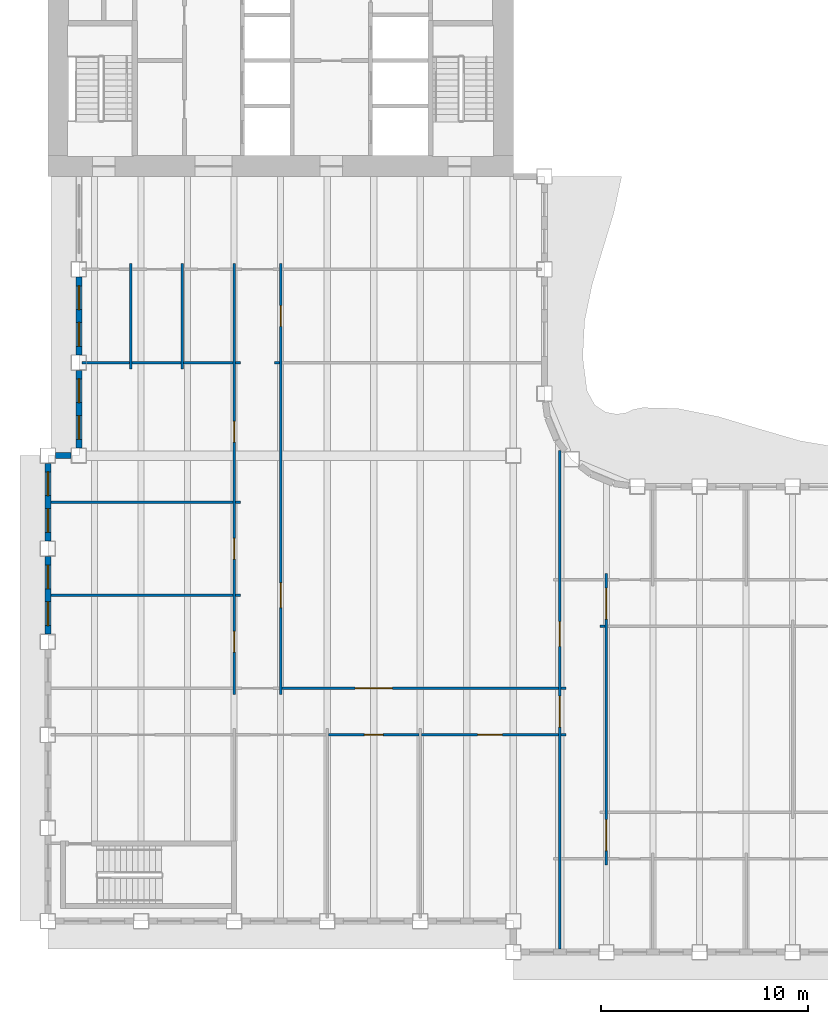
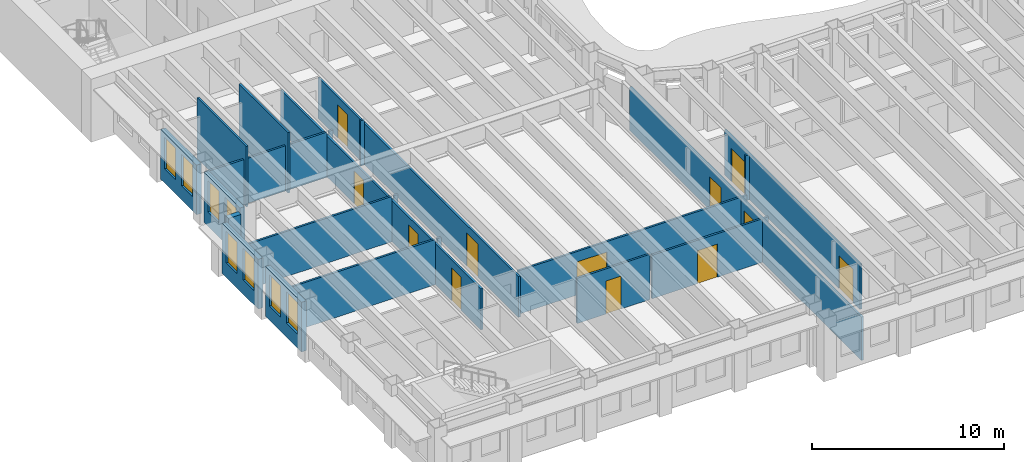
# One storey, part 4 of 17: 26 walls, 12 doors, 8 windows, 20 openings.
"""IFC4 building model written with IfcOpenShell, lengths in metres."""

from ifc_helpers import new_model, si_unit, direction, frame, frame_2d, origin, place, context, subcontext, project, spatial, rectangle, extrude, material, layer, layer_set, type_object, element, fill, save


model = new_model("IFC4")

# Units and contexts
model_context = context("Model", 3, precision=1e-05, world=origin(), true_north=direction((0.0, 1.0)))
body_context = subcontext(model_context, "Body", "Model", "MODEL_VIEW")
ifc_project = project(units=[si_unit("LENGTHUNIT", "METRE"), si_unit("AREAUNIT", "SQUARE_METRE"), si_unit("VOLUMEUNIT", "CUBIC_METRE"), si_unit("PLANEANGLEUNIT", "RADIAN"), si_unit("MASSUNIT", "GRAM", prefix="KILO")], contexts=[model_context])

# Site, building, storey
site_placement = place(None, origin())
site = spatial("IfcSite", under=ifc_project, at=site_placement, CompositionType="ELEMENT")
building_placement = place(site_placement, origin())
building = spatial("IfcBuilding", under=site, at=building_placement, Name="Sennacour Bend Tower", CompositionType="ELEMENT")
storey_placement = place(building_placement, frame((0.0, 0.0, 199.0)))
storey = spatial("IfcBuildingStorey", under=building, at=storey_placement, Name="L45", CompositionType="ELEMENT", Elevation=199.0)

# Walls
ifc_material_1 = material(Name="Plasterboard partition on steel studs", Category="steel")
ifc_layer_1 = layer(ifc_material_1, 0.1201171875, Name="Plasterboard partition on steel studs", Category="steel")
ifc_layer_set_1 = layer_set([ifc_layer_1], Name="Plasterboard partition on steel studs")
wall_type_1 = type_object("IfcWallType", Name="Partition 120", PredefinedType="PARTITIONING", material=ifc_layer_set_1)
for number, where, z_axis, x_axis, name in (
    (1, (4.0, 26.699951171875, 0.0), (0.0, 0.0, 1.0), (0.0, 1.0, 0.0), "P-L45-W005a"),
    (2, (6.5, 26.699951171875, 0.0), (0.0, 0.0, 1.0), (0.0, 1.0, 0.0), "P-L45-W008a"),
):
    element("IfcWall", number, at=place(storey_placement, frame(where, z_axis=z_axis, x_axis=x_axis)), inside=storey, type_object=wall_type_1, Name=name, PredefinedType="PARTITIONING", context=body_context, shape_type="SweptSolid", body=[
        extrude(rectangle(XDim=5.10009765625, YDim=0.1201171875, at=frame_2d((2.550048828125, 0.0))), origin(), (0.0, 0.0, 1.0), 3.85009765625),
    ])

# Wall, openings, doors
wall_1_placement = place(storey_placement, frame((9.0, 10.949951171875, 0.0), z_axis=(0.0, 0.0, 1.0), x_axis=(0.0, 1.0, 0.0)))
wall_1 = element("IfcWall", 3, at=wall_1_placement, inside=storey, type_object=wall_type_1, Name="P-L45-W013a", PredefinedType="PARTITIONING", context=body_context, shape_type="SweptSolid", body=[
    extrude(rectangle(XDim=20.85009765625, YDim=0.1201171875, at=frame_2d((10.425048828125, 0.0))), origin(), (0.0, 0.0, 1.0), 2.60009765625),
])
opening_1_placement = place(wall_1_placement, frame((2.050048828125, 0.0, 0.0)))
opening_1 = element("IfcOpeningElement", 4, at=opening_1_placement, cuts=wall_1, Name="Opening OD2", PredefinedType="OPENING", context=body_context, shape_type="SweptSolid", body=[
    extrude(rectangle(XDim=1.0, YDim=2.10009765625, at=frame_2d((0.5, 1.050048828125))), frame((0.0, 0.070068359375, 0.0), z_axis=(0.0, -1.0, 0.0), x_axis=(1.0, 0.0, 0.0)), (0.0, 0.0, 1.0), 0.14013671875),
])
opening_2_placement = place(wall_1_placement, frame((6.550048828125, 0.0, 0.0)))
opening_2 = element("IfcOpeningElement", 5, at=opening_2_placement, cuts=wall_1, Name="Opening OD2", PredefinedType="OPENING", context=body_context, shape_type="SweptSolid", body=[
    extrude(rectangle(XDim=1.0, YDim=2.10009765625, at=frame_2d((0.5, 1.050048828125))), frame((0.0, 0.070068359375, 0.0), z_axis=(0.0, -1.0, 0.0), x_axis=(1.0, 0.0, 0.0)), (0.0, 0.0, 1.0), 0.14013671875),
])
opening_3_placement = place(wall_1_placement, frame((12.205078125, 0.0, 0.0)))
opening_3 = element("IfcOpeningElement", 6, at=opening_3_placement, cuts=wall_1, Name="Opening OD2", PredefinedType="OPENING", context=body_context, shape_type="SweptSolid", body=[
    extrude(rectangle(XDim=1.0, YDim=2.10009765625, at=frame_2d((0.5, 1.050048828125))), frame((0.0, 0.070068359375, 0.0), z_axis=(0.0, -1.0, 0.0), x_axis=(1.0, 0.0, 0.0)), (0.0, 0.0, 1.0), 0.14013671875),
])
ifc_material_2 = material(Name="Timber", Category="wood")
door_type_1 = type_object("IfcDoorType", Name="DR-OFFICE-1000", OperationType="NOTDEFINED", PredefinedType="DOOR", material=ifc_material_2)
door_1_placement = place(opening_1_placement, origin())
door_1 = element("IfcDoor", 7, at=door_1_placement, inside=storey, type_object=door_type_1, Name="Door", OperationType="SINGLE_SWING_LEFT", OverallHeight=2.10009765625, OverallWidth=1.0, PredefinedType="DOOR", context=body_context, shape_type="SweptSolid", body=[
    extrude(rectangle(XDim=1.0, YDim=2.10009765625, at=frame_2d((0.5, 1.050048828125))), frame((0.0, 0.02490234375, 0.0), z_axis=(0.0, -1.0, 0.0), x_axis=(1.0, 0.0, 0.0)), (0.0, 0.0, 1.0), 0.050048828125),
])
fill(opening_1, door_1)
door_2_placement = place(opening_2_placement, origin())
door_2 = element("IfcDoor", 8, at=door_2_placement, inside=storey, type_object=door_type_1, Name="Door", OperationType="SINGLE_SWING_LEFT", OverallHeight=2.10009765625, OverallWidth=1.0, PredefinedType="DOOR", context=body_context, shape_type="SweptSolid", body=[
    extrude(rectangle(XDim=1.0, YDim=2.10009765625, at=frame_2d((0.5, 1.050048828125))), frame((0.0, 0.02490234375, 0.0), z_axis=(0.0, -1.0, 0.0), x_axis=(1.0, 0.0, 0.0)), (0.0, 0.0, 1.0), 0.050048828125),
])
fill(opening_2, door_2)
door_3_placement = place(opening_3_placement, origin())
door_3 = element("IfcDoor", 9, at=door_3_placement, inside=storey, type_object=door_type_1, Name="Door", OperationType="SINGLE_SWING_RIGHT", OverallHeight=2.10009765625, OverallWidth=1.0, PredefinedType="DOOR", context=body_context, shape_type="SweptSolid", body=[
    extrude(rectangle(XDim=1.0, YDim=2.10009765625, at=frame_2d((0.5, 1.050048828125))), frame((0.0, 0.02490234375, 0.0), z_axis=(0.0, -1.0, 0.0), x_axis=(1.0, 0.0, 0.0)), (0.0, 0.0, 1.0), 0.050048828125),
])
fill(opening_3, door_3)

wall_2_placement = place(storey_placement, frame((11.25, 10.949951171875, 0.0), z_axis=(0.0, 0.0, 1.0), x_axis=(0.0, 1.0, 0.0)))
wall_2 = element("IfcWall", 10, at=wall_2_placement, inside=storey, type_object=wall_type_1, Name="P-L45-W016a", PredefinedType="PARTITIONING", context=body_context, shape_type="SweptSolid", body=[
    extrude(rectangle(XDim=20.85009765625, YDim=0.1201171875, at=frame_2d((10.425048828125, 0.0))), origin(), (0.0, 0.0, 1.0), 2.60009765625),
])
opening_4_placement = place(wall_2_placement, frame((17.800048828125, 0.0, 0.0)))
opening_4 = element("IfcOpeningElement", 11, at=opening_4_placement, cuts=wall_2, Name="Opening OD2", PredefinedType="OPENING", context=body_context, shape_type="SweptSolid", body=[
    extrude(rectangle(XDim=1.0, YDim=2.10009765625, at=frame_2d((0.5, 1.050048828125))), frame((0.0, 0.070068359375, 0.0), z_axis=(0.0, -1.0, 0.0), x_axis=(1.0, 0.0, 0.0)), (0.0, 0.0, 1.0), 0.14013671875),
])
opening_5_placement = place(wall_2_placement, frame((4.199951171875, 0.0, 0.0)))
opening_5 = element("IfcOpeningElement", 12, at=opening_5_placement, cuts=wall_2, Name="Opening OD", PredefinedType="OPENING", context=body_context, shape_type="SweptSolid", body=[
    extrude(rectangle(XDim=1.199951171875, YDim=2.10009765625, at=frame_2d((0.60009765625, 1.050048828125))), frame((0.0, 0.070068359375, 0.0), z_axis=(0.0, -1.0, 0.0), x_axis=(1.0, 0.0, 0.0)), (0.0, 0.0, 1.0), 0.14013671875),
])
door_4_placement = place(opening_4_placement, origin())
door_4 = element("IfcDoor", 13, at=door_4_placement, inside=storey, type_object=door_type_1, Name="Door", OperationType="SINGLE_SWING_RIGHT", OverallHeight=2.10009765625, OverallWidth=1.0, PredefinedType="DOOR", context=body_context, shape_type="SweptSolid", body=[
    extrude(rectangle(XDim=1.0, YDim=2.10009765625, at=frame_2d((0.5, 1.050048828125))), frame((0.0, 0.02490234375, 0.0), z_axis=(0.0, -1.0, 0.0), x_axis=(1.0, 0.0, 0.0)), (0.0, 0.0, 1.0), 0.050048828125),
])
fill(opening_4, door_4)
door_type_2 = type_object("IfcDoorType", Name="DR-OFFICE-1200", OperationType="NOTDEFINED", PredefinedType="DOOR", material=ifc_material_2)
door_5_placement = place(opening_5_placement, origin())
door_5 = element("IfcDoor", 14, at=door_5_placement, inside=storey, type_object=door_type_2, Name="Door", OperationType="SINGLE_SWING_LEFT", OverallHeight=2.10009765625, OverallWidth=1.199951171875, PredefinedType="DOOR", context=body_context, shape_type="SweptSolid", body=[
    extrude(rectangle(XDim=1.199951171875, YDim=2.10009765625, at=frame_2d((0.60009765625, 1.050048828125))), frame((0.0, 0.02490234375, 0.0), z_axis=(0.0, -1.0, 0.0), x_axis=(1.0, 0.0, 0.0)), (0.0, 0.0, 1.0), 0.050048828125),
])
fill(opening_5, door_5)

# Wall, opening, door
wall_3_placement = place(storey_placement, frame((18.06005859375, 9.0, 0.0), z_axis=(0.0, 0.0, 1.0), x_axis=(1.0, 0.0, 0.0)))
wall_3 = element("IfcWall", 15, at=wall_3_placement, inside=storey, type_object=wall_type_1, Name="P-L45-W066ad", PredefinedType="PARTITIONING", context=body_context, shape_type="SweptSolid", body=[
    extrude(rectangle(XDim=6.6298828125, YDim=0.1201171875, at=frame_2d((3.31494140625, 0.0))), origin(), (0.0, 0.0, 1.0), 2.760009765625),
])
opening_6_placement = place(wall_3_placement, frame((2.71484375, 0.0, 0.0)))
opening_6 = element("IfcOpeningElement", 16, at=opening_6_placement, cuts=wall_3, Name="Opening OD", PredefinedType="OPENING", context=body_context, shape_type="SweptSolid", body=[
    extrude(rectangle(XDim=1.199951171875, YDim=2.10009765625, at=frame_2d((0.60009765625, 1.050048828125))), frame((0.0, 0.070068359375, 0.0), z_axis=(0.0, -1.0, 0.0), x_axis=(1.0, 0.0, 0.0)), (0.0, 0.0, 1.0), 0.14013671875),
])
door_6_placement = place(opening_6_placement, origin())
door_6 = element("IfcDoor", 17, at=door_6_placement, inside=storey, type_object=door_type_2, Name="Door", OperationType="SINGLE_SWING_LEFT", OverallHeight=2.10009765625, OverallWidth=1.199951171875, PredefinedType="DOOR", context=body_context, shape_type="SweptSolid", body=[
    extrude(rectangle(XDim=1.199951171875, YDim=2.10009765625, at=frame_2d((0.60009765625, 1.050048828125))), frame((0.0, 0.02490234375, 0.0), z_axis=(0.0, -1.0, 0.0), x_axis=(1.0, 0.0, 0.0)), (0.0, 0.0, 1.0), 0.050048828125),
])
fill(opening_6, door_6)

# Wall
wall_4_placement = place(storey_placement, frame((24.81005859375, 9.0, 0.0), z_axis=(0.0, 0.0, 1.0), x_axis=(1.0, 0.0, 0.0)))
element("IfcWall", 18, at=wall_4_placement, inside=storey, type_object=wall_type_1, Name="P-L45-W066ae", PredefinedType="PARTITIONING", context=body_context, shape_type="SweptSolid", body=[
    extrude(rectangle(XDim=0.239990234375, YDim=0.1201171875, at=frame_2d((0.1201171875, 0.0))), origin(), (0.0, 0.0, 1.0), 2.760009765625),
])

# Wall, opening, door
wall_5_placement = place(storey_placement, frame((11.31005859375, 11.25, 0.0), z_axis=(0.0, 0.0, 1.0), x_axis=(1.0, 0.0, 0.0)))
wall_5 = element("IfcWall", 19, at=wall_5_placement, inside=storey, type_object=wall_type_1, Name="P-L45-W069ac", PredefinedType="PARTITIONING", context=body_context, shape_type="SweptSolid", body=[
    extrude(rectangle(XDim=13.3798828125, YDim=0.1201171875, at=frame_2d((6.68994140625, 0.0))), origin(), (0.0, 0.0, 1.0), 2.760009765625),
])
opening_7_placement = place(wall_5_placement, frame((3.539794921875, 0.0, 0.0)))
opening_7 = element("IfcOpeningElement", 20, at=opening_7_placement, cuts=wall_5, Name="Opening OD3", PredefinedType="OPENING", context=body_context, shape_type="SweptSolid", body=[
    extrude(rectangle(XDim=1.800048828125, YDim=2.10009765625, at=frame_2d((0.89990234375, 1.050048828125))), frame((0.0, 0.070068359375, 0.0), z_axis=(0.0, -1.0, 0.0), x_axis=(1.0, 0.0, 0.0)), (0.0, 0.0, 1.0), 0.14013671875),
])
door_type_3 = type_object("IfcDoorType", Name="DR-OFFICE-1800", OperationType="NOTDEFINED", PredefinedType="DOOR", material=ifc_material_2)
door_7_placement = place(opening_7_placement, origin())
door_7 = element("IfcDoor", 21, at=door_7_placement, inside=storey, type_object=door_type_3, Name="Door", OperationType="DOUBLE_DOOR_SINGLE_SWING", OverallHeight=2.10009765625, OverallWidth=1.800048828125, PredefinedType="DOOR", context=body_context, shape_type="SweptSolid", body=[
    extrude(rectangle(XDim=1.800048828125, YDim=2.10009765625, at=frame_2d((0.89990234375, 1.050048828125))), frame((0.0, 0.02490234375, 0.0), z_axis=(0.0, -1.0, 0.0), x_axis=(1.0, 0.0, 0.0)), (0.0, 0.0, 1.0), 0.050048828125),
])
fill(opening_7, door_7)

# Walls
wall_6_placement = place(storey_placement, frame((24.81005859375, 11.25, 0.0), z_axis=(0.0, 0.0, 1.0), x_axis=(1.0, 0.0, 0.0)))
element("IfcWall", 22, at=wall_6_placement, inside=storey, type_object=wall_type_1, Name="P-L45-W069ad", PredefinedType="PARTITIONING", context=body_context, shape_type="SweptSolid", body=[
    extrude(rectangle(XDim=0.239990234375, YDim=0.1201171875, at=frame_2d((0.1201171875, 0.0))), origin(), (0.0, 0.0, 1.0), 2.760009765625),
])
wall_7_placement = place(storey_placement, frame((26.699951171875, 14.25, 0.0), z_axis=(0.0, 0.0, 1.0), x_axis=(1.0, 0.0, 0.0)))
element("IfcWall", 23, at=wall_7_placement, inside=storey, type_object=wall_type_1, Name="P-L45-W073aa", PredefinedType="PARTITIONING", context=body_context, shape_type="SweptSolid", body=[
    extrude(rectangle(XDim=0.239990234375, YDim=0.1201171875, at=frame_2d((0.1201171875, 0.0))), origin(), (0.0, 0.0, 1.0), 2.8701171875),
])
wall_8_placement = place(storey_placement, frame((0.14990234375, 15.75, 0.0), z_axis=(0.0, 0.0, 1.0), x_axis=(1.0, 0.0, 0.0)))
element("IfcWall", 24, at=wall_8_placement, inside=storey, type_object=wall_type_1, Name="P-L45-W076aa", PredefinedType="PARTITIONING", context=body_context, shape_type="SweptSolid", body=[
    extrude(rectangle(XDim=8.7900390625, YDim=0.1201171875, at=frame_2d((4.39501953125, 0.0))), origin(), (0.0, 0.0, 1.0), 2.8701171875),
])
wall_9_placement = place(storey_placement, frame((9.06005859375, 15.75, 0.0), z_axis=(0.0, 0.0, 1.0), x_axis=(1.0, 0.0, 0.0)))
element("IfcWall", 25, at=wall_9_placement, inside=storey, type_object=wall_type_1, Name="P-L45-W076ab", PredefinedType="PARTITIONING", context=body_context, shape_type="SweptSolid", body=[
    extrude(rectangle(XDim=0.239990234375, YDim=0.1201171875, at=frame_2d((0.1201171875, 0.0))), origin(), (0.0, 0.0, 1.0), 2.8701171875),
])
wall_10_placement = place(storey_placement, frame((0.14990234375, 20.25, 0.0), z_axis=(0.0, 0.0, 1.0), x_axis=(1.0, 0.0, 0.0)))
element("IfcWall", 26, at=wall_10_placement, inside=storey, type_object=wall_type_1, Name="P-L45-W081aa", PredefinedType="PARTITIONING", context=body_context, shape_type="SweptSolid", body=[
    extrude(rectangle(XDim=8.7900390625, YDim=0.1201171875, at=frame_2d((4.39501953125, 0.0))), origin(), (0.0, 0.0, 1.0), 2.8701171875),
])
wall_11_placement = place(storey_placement, frame((9.06005859375, 20.25, 0.0), z_axis=(0.0, 0.0, 1.0), x_axis=(1.0, 0.0, 0.0)))
element("IfcWall", 27, at=wall_11_placement, inside=storey, type_object=wall_type_1, Name="P-L45-W081ab", PredefinedType="PARTITIONING", context=body_context, shape_type="SweptSolid", body=[
    extrude(rectangle(XDim=0.239990234375, YDim=0.1201171875, at=frame_2d((0.1201171875, 0.0))), origin(), (0.0, 0.0, 1.0), 2.8701171875),
])
wall_12_placement = place(storey_placement, frame((1.64990234375, 27.0, 0.0), z_axis=(0.0, 0.0, 1.0), x_axis=(1.0, 0.0, 0.0)))
element("IfcWall", 28, at=wall_12_placement, inside=storey, type_object=wall_type_1, Name="P-L45-W084aa", PredefinedType="PARTITIONING", context=body_context, shape_type="SweptSolid", body=[
    extrude(rectangle(XDim=2.2900390625, YDim=0.1201171875, at=frame_2d((1.14501953125, 0.0))), origin(), (0.0, 0.0, 1.0), 2.8701171875),
])
for number, where, z_axis, x_axis, name in (
    (29, (4.06005859375, 27.0, 0.0), (0.0, 0.0, 1.0), (1.0, 0.0, 0.0), "P-L45-W084ab"),
    (30, (6.56005859375, 27.0, 0.0), (0.0, 0.0, 1.0), (1.0, 0.0, 0.0), "P-L45-W084ac"),
):
    element("IfcWall", number, at=place(storey_placement, frame(where, z_axis=z_axis, x_axis=x_axis)), inside=storey, type_object=wall_type_1, Name=name, PredefinedType="PARTITIONING", context=body_context, shape_type="SweptSolid", body=[
        extrude(rectangle(XDim=2.3798828125, YDim=0.1201171875, at=frame_2d((1.18994140625, 0.0))), origin(), (0.0, 0.0, 1.0), 2.8701171875),
    ])
for number, where, z_axis, x_axis, name in (
    (31, (9.06005859375, 27.0, 0.0), (0.0, 0.0, 1.0), (1.0, 0.0, 0.0), "P-L45-W084ad"),
    (32, (10.949951171875, 27.0, 0.0), (0.0, 0.0, 1.0), (1.0, 0.0, 0.0), "P-L45-W085aa"),
):
    element("IfcWall", number, at=place(storey_placement, frame(where, z_axis=z_axis, x_axis=x_axis)), inside=storey, type_object=wall_type_1, Name=name, PredefinedType="PARTITIONING", context=body_context, shape_type="SweptSolid", body=[
        extrude(rectangle(XDim=0.239990234375, YDim=0.1201171875, at=frame_2d((0.1201171875, 0.0))), origin(), (0.0, 0.0, 1.0), 2.8701171875),
    ])

# Wall, openings, doors
ifc_layer_2 = layer(ifc_material_1, 0.1201171875, Name="Plasterboard partition on steel studs", Category="steel")
ifc_layer_set_2 = layer_set([ifc_layer_2], Name="Plasterboard partition on steel studs")
wall_type_2 = type_object("IfcWallType", Name="Partition 120 EI 30", PredefinedType="PARTITIONING", material=ifc_layer_set_2)
wall_13_placement = place(storey_placement, frame((24.75, -1.35009765625, 0.0), z_axis=(0.0, 0.0, 1.0), x_axis=(0.0, 1.0, 0.0)))
wall_13 = element("IfcWall", 33, at=wall_13_placement, inside=storey, type_object=wall_type_2, Name="P-L45-W027a", PredefinedType="PARTITIONING", context=body_context, shape_type="SweptSolid", body=[
    extrude(rectangle(XDim=24.1005859375, YDim=0.1201171875, at=frame_2d((12.05029296875, 0.0))), origin(), (0.0, 0.0, 1.0), 2.760009765625),
])
opening_8_placement = place(wall_13_placement, frame((10.72509765625, 0.0, 0.0)))
opening_8 = element("IfcOpeningElement", 34, at=opening_8_placement, cuts=wall_13, Name="Opening KD", PredefinedType="OPENING", context=body_context, shape_type="SweptSolid", body=[
    extrude(rectangle(XDim=1.5, YDim=2.10009765625, at=frame_2d((0.75, 1.050048828125))), frame((0.0, 0.070068359375, 0.0), z_axis=(0.0, -1.0, 0.0), x_axis=(1.0, 0.0, 0.0)), (0.0, 0.0, 1.0), 0.14013671875),
])
opening_9_placement = place(wall_13_placement, frame((14.625, 0.0, 0.0)))
opening_9 = element("IfcOpeningElement", 35, at=opening_9_placement, cuts=wall_13, Name="Opening OD", PredefinedType="OPENING", context=body_context, shape_type="SweptSolid", body=[
    extrude(rectangle(XDim=1.199951171875, YDim=2.10009765625, at=frame_2d((0.60009765625, 1.050048828125))), frame((0.0, 0.070068359375, 0.0), z_axis=(0.0, -1.0, 0.0), x_axis=(1.0, 0.0, 0.0)), (0.0, 0.0, 1.0), 0.14013671875),
])
ifc_material_3 = material(Name="Painted steel", Category="steel")
door_type_4 = type_object("IfcDoorType", Name="DR-CORRIDOR-1500", OperationType="NOTDEFINED", PredefinedType="DOOR", material=ifc_material_3)
door_8_placement = place(opening_8_placement, origin())
door_8 = element("IfcDoor", 36, at=door_8_placement, inside=storey, type_object=door_type_4, Name="Door", OperationType="SINGLE_SWING_LEFT", OverallHeight=2.10009765625, OverallWidth=1.5, PredefinedType="DOOR", context=body_context, shape_type="SweptSolid", body=[
    extrude(rectangle(XDim=1.5, YDim=2.10009765625, at=frame_2d((0.75, 1.050048828125))), frame((0.0, 0.02490234375, 0.0), z_axis=(0.0, -1.0, 0.0), x_axis=(1.0, 0.0, 0.0)), (0.0, 0.0, 1.0), 0.050048828125),
])
fill(opening_8, door_8)
door_9_placement = place(opening_9_placement, origin())
door_9 = element("IfcDoor", 37, at=door_9_placement, inside=storey, type_object=door_type_2, Name="Door", OperationType="SINGLE_SWING_RIGHT", OverallHeight=2.10009765625, OverallWidth=1.199951171875, PredefinedType="DOOR", context=body_context, shape_type="SweptSolid", body=[
    extrude(rectangle(XDim=1.199951171875, YDim=2.10009765625, at=frame_2d((0.60009765625, 1.050048828125))), frame((0.0, 0.02490234375, 0.0), z_axis=(0.0, -1.0, 0.0), x_axis=(1.0, 0.0, 0.0)), (0.0, 0.0, 1.0), 0.050048828125),
])
fill(opening_9, door_9)

wall_14_placement = place(storey_placement, frame((27.0, 2.699951171875, 0.0), z_axis=(0.0, 0.0, 1.0), x_axis=(0.0, 1.0, 0.0)))
wall_14 = element("IfcWall", 38, at=wall_14_placement, inside=storey, type_object=wall_type_2, Name="P-L45-W028a", PredefinedType="PARTITIONING", context=body_context, shape_type="SweptSolid", body=[
    extrude(rectangle(XDim=14.10009765625, YDim=0.1201171875, at=frame_2d((7.050048828125, 0.0))), origin(), (0.0, 0.0, 1.0), 2.8701171875),
])
opening_10_placement = place(wall_14_placement, frame((0.705078125, 0.0, 0.0)))
opening_10 = element("IfcOpeningElement", 39, at=opening_10_placement, cuts=wall_14, Name="Opening KD", PredefinedType="OPENING", context=body_context, shape_type="SweptSolid", body=[
    extrude(rectangle(XDim=1.5, YDim=2.10009765625, at=frame_2d((0.75, 1.050048828125))), frame((0.0, 0.070068359375, 0.0), z_axis=(0.0, -1.0, 0.0), x_axis=(1.0, 0.0, 0.0)), (0.0, 0.0, 1.0), 0.14013671875),
])
opening_11_placement = place(wall_14_placement, frame((11.89501953125, 0.0, 0.0)))
opening_11 = element("IfcOpeningElement", 40, at=opening_11_placement, cuts=wall_14, Name="Opening KD", PredefinedType="OPENING", context=body_context, shape_type="SweptSolid", body=[
    extrude(rectangle(XDim=1.5, YDim=2.10009765625, at=frame_2d((0.75, 1.050048828125))), frame((0.0, 0.070068359375, 0.0), z_axis=(0.0, -1.0, 0.0), x_axis=(1.0, 0.0, 0.0)), (0.0, 0.0, 1.0), 0.14013671875),
])
door_10_placement = place(opening_10_placement, origin())
door_10 = element("IfcDoor", 41, at=door_10_placement, inside=storey, type_object=door_type_4, Name="Door", OperationType="SINGLE_SWING_LEFT", OverallHeight=2.10009765625, OverallWidth=1.5, PredefinedType="DOOR", context=body_context, shape_type="SweptSolid", body=[
    extrude(rectangle(XDim=1.5, YDim=2.10009765625, at=frame_2d((0.75, 1.050048828125))), frame((0.0, 0.02490234375, 0.0), z_axis=(0.0, -1.0, 0.0), x_axis=(1.0, 0.0, 0.0)), (0.0, 0.0, 1.0), 0.050048828125),
])
fill(opening_10, door_10)
door_11_placement = place(opening_11_placement, origin())
door_11 = element("IfcDoor", 42, at=door_11_placement, inside=storey, type_object=door_type_4, Name="Door", OperationType="SINGLE_SWING_RIGHT", OverallHeight=2.10009765625, OverallWidth=1.5, PredefinedType="DOOR", context=body_context, shape_type="SweptSolid", body=[
    extrude(rectangle(XDim=1.5, YDim=2.10009765625, at=frame_2d((0.75, 1.050048828125))), frame((0.0, 0.02490234375, 0.0), z_axis=(0.0, -1.0, 0.0), x_axis=(1.0, 0.0, 0.0)), (0.0, 0.0, 1.0), 0.050048828125),
])
fill(opening_11, door_11)

# Wall, opening, door
ifc_layer_3 = layer(ifc_material_1, 0.1201171875, Name="Plasterboard partition on steel studs", Category="steel")
ifc_layer_set_3 = layer_set([ifc_layer_3], Name="Plasterboard partition on steel studs")
wall_type_3 = type_object("IfcWallType", Name="Partition 120 EI 60", PredefinedType="PARTITIONING", material=ifc_layer_set_3)
wall_15_placement = place(storey_placement, frame((13.56005859375, 9.0, 0.0), z_axis=(0.0, 0.0, 1.0), x_axis=(1.0, 0.0, 0.0)))
wall_15 = element("IfcWall", 43, at=wall_15_placement, inside=storey, type_object=wall_type_3, Name="P-L45-W066ac", PredefinedType="PARTITIONING", context=body_context, shape_type="SweptSolid", body=[
    extrude(rectangle(XDim=4.3798828125, YDim=0.1201171875, at=frame_2d((2.18994140625, 0.0))), origin(), (0.0, 0.0, 1.0), 2.8701171875),
])
opening_12_placement = place(wall_15_placement, frame((1.739990234375, 0.0, 0.0)))
opening_12 = element("IfcOpeningElement", 44, at=opening_12_placement, cuts=wall_15, Name="Opening SV", PredefinedType="OPENING", context=body_context, shape_type="SweptSolid", body=[
    extrude(rectangle(XDim=0.89990234375, YDim=2.10009765625, at=frame_2d((0.449951171875, 1.050048828125))), frame((0.0, 0.070068359375, 0.0), z_axis=(0.0, -1.0, 0.0), x_axis=(1.0, 0.0, 0.0)), (0.0, 0.0, 1.0), 0.14013671875),
])
door_type_5 = type_object("IfcDoorType", Name="DR-SERVICE-900", OperationType="NOTDEFINED", PredefinedType="DOOR", material=ifc_material_3)
door_12_placement = place(opening_12_placement, origin())
door_12 = element("IfcDoor", 45, at=door_12_placement, inside=storey, type_object=door_type_5, Name="Door", OperationType="SINGLE_SWING_LEFT", OverallHeight=2.10009765625, OverallWidth=0.89990234375, PredefinedType="DOOR", context=body_context, shape_type="SweptSolid", body=[
    extrude(rectangle(XDim=0.89990234375, YDim=2.10009765625, at=frame_2d((0.449951171875, 1.050048828125))), frame((0.0, 0.02490234375, 0.0), z_axis=(0.0, -1.0, 0.0), x_axis=(1.0, 0.0, 0.0)), (0.0, 0.0, 1.0), 0.050048828125),
])
fill(opening_12, door_12)

# Wall, openings, windows
ifc_material_4 = material(Name="Warm limestone cladding", Category="masonry")
ifc_layer_4 = layer(ifc_material_4, 0.050048828125, Name="Warm limestone cladding", Category="masonry")
ifc_material_5 = material(Name="Precast concrete C40/50", Category="concrete")
ifc_layer_5 = layer(ifc_material_5, 0.25, Name="Precast concrete C40/50", Category="concrete")
ifc_layer_set_4 = layer_set([ifc_layer_4, ifc_layer_5], Name="Precast concrete C40/50 with limestone cladding")
wall_type_4 = type_object("IfcWallType", Name="STONE-CLAD PRECAST SPANDREL 300", PredefinedType="STANDARD", material=ifc_layer_set_4)
wall_16_placement = place(storey_placement, frame((1.5, 31.125, 0.0), z_axis=(0.0, 0.0, 1.0), x_axis=(0.0, -1.0, 0.0)))
wall_16 = element("IfcWall", 46, at=wall_16_placement, inside=storey, type_object=wall_type_4, Name="Stone spandrel and pier wall L45 19.01", PredefinedType="STANDARD", context=body_context, shape_type="SweptSolid", body=[
    extrude(rectangle(XDim=3.75, YDim=0.300048828125, at=frame_2d((1.875, 0.0))), origin(), (0.0, 0.0, 1.0), 3.156982421875),
])
opening_13_placement = place(wall_16_placement, frame((0.41259765625, 0.0, 0.89990234375)))
opening_13 = element("IfcOpeningElement", 47, at=opening_13_placement, cuts=wall_16, Name="Opening W24", PredefinedType="OPENING", context=body_context, shape_type="SweptSolid", body=[
    extrude(rectangle(XDim=1.14990234375, YDim=2.0, at=frame_2d((0.574951171875, 1.0))), frame((0.0, 0.16015625, 0.0), z_axis=(0.0, -1.0, 0.0), x_axis=(1.0, 0.0, 0.0)), (0.0, 0.0, 1.0), 0.320068359375),
])
opening_14_placement = place(wall_16_placement, frame((2.1875, 0.0, 0.89990234375)))
opening_14 = element("IfcOpeningElement", 48, at=opening_14_placement, cuts=wall_16, Name="Opening W24", PredefinedType="OPENING", context=body_context, shape_type="SweptSolid", body=[
    extrude(rectangle(XDim=1.14990234375, YDim=2.0, at=frame_2d((0.574951171875, 1.0))), frame((0.0, 0.16015625, 0.0), z_axis=(0.0, -1.0, 0.0), x_axis=(1.0, 0.0, 0.0)), (0.0, 0.0, 1.0), 0.320068359375),
])
ifc_material_6 = material(Name="Clear low-emissivity glass", Category="glass")
window_type = type_object("IfcWindowType", Name="WIN-RIBBON-1150x2000", PartitioningType="SINGLE_PANEL", PredefinedType="WINDOW", material=ifc_material_6)
window_1_placement = place(opening_13_placement, origin())
window_1 = element("IfcWindow", 49, at=window_1_placement, inside=storey, type_object=window_type, Name="Ribbon window L45 19.01.0", OverallHeight=2.0, OverallWidth=1.14990234375, PartitioningType="SINGLE_PANEL", PredefinedType="WINDOW", context=body_context, shape_type="SweptSolid", body=[
    extrude(rectangle(XDim=1.14990234375, YDim=2.0, at=frame_2d((0.574951171875, 1.0))), frame((0.0, 0.030029296875, 0.0), z_axis=(0.0, -1.0, 0.0), x_axis=(1.0, 0.0, 0.0)), (0.0, 0.0, 1.0), 0.06005859375),
])
fill(opening_13, window_1)
window_2_placement = place(opening_14_placement, origin())
window_2 = element("IfcWindow", 50, at=window_2_placement, inside=storey, type_object=window_type, Name="Ribbon window L45 19.01.1", OverallHeight=2.0, OverallWidth=1.14990234375, PartitioningType="SINGLE_PANEL", PredefinedType="WINDOW", context=body_context, shape_type="SweptSolid", body=[
    extrude(rectangle(XDim=1.14990234375, YDim=2.0, at=frame_2d((0.574951171875, 1.0))), frame((0.0, 0.030029296875, 0.0), z_axis=(0.0, -1.0, 0.0), x_axis=(1.0, 0.0, 0.0)), (0.0, 0.0, 1.0), 0.06005859375),
])
fill(opening_14, window_2)

wall_17_placement = place(storey_placement, frame((1.5, 26.625, 0.0), z_axis=(0.0, 0.0, 1.0), x_axis=(0.0, -1.0, 0.0)))
wall_17 = element("IfcWall", 51, at=wall_17_placement, inside=storey, type_object=wall_type_4, Name="Stone spandrel and pier wall L45 19.02", PredefinedType="STANDARD", context=body_context, shape_type="SweptSolid", body=[
    extrude(rectangle(XDim=3.75, YDim=0.300048828125, at=frame_2d((1.875, 0.0))), origin(), (0.0, 0.0, 1.0), 3.156982421875),
])
opening_15_placement = place(wall_17_placement, frame((0.41259765625, 0.0, 0.89990234375)))
opening_15 = element("IfcOpeningElement", 52, at=opening_15_placement, cuts=wall_17, Name="Opening W24", PredefinedType="OPENING", context=body_context, shape_type="SweptSolid", body=[
    extrude(rectangle(XDim=1.14990234375, YDim=2.0, at=frame_2d((0.574951171875, 1.0))), frame((0.0, 0.16015625, 0.0), z_axis=(0.0, -1.0, 0.0), x_axis=(1.0, 0.0, 0.0)), (0.0, 0.0, 1.0), 0.320068359375),
])
opening_16_placement = place(wall_17_placement, frame((2.1875, 0.0, 0.89990234375)))
opening_16 = element("IfcOpeningElement", 53, at=opening_16_placement, cuts=wall_17, Name="Opening W24", PredefinedType="OPENING", context=body_context, shape_type="SweptSolid", body=[
    extrude(rectangle(XDim=1.14990234375, YDim=2.0, at=frame_2d((0.574951171875, 1.0))), frame((0.0, 0.16015625, 0.0), z_axis=(0.0, -1.0, 0.0), x_axis=(1.0, 0.0, 0.0)), (0.0, 0.0, 1.0), 0.320068359375),
])
window_3_placement = place(opening_15_placement, origin())
window_3 = element("IfcWindow", 54, at=window_3_placement, inside=storey, type_object=window_type, Name="Ribbon window L45 19.02.0", OverallHeight=2.0, OverallWidth=1.14990234375, PartitioningType="SINGLE_PANEL", PredefinedType="WINDOW", context=body_context, shape_type="SweptSolid", body=[
    extrude(rectangle(XDim=1.14990234375, YDim=2.0, at=frame_2d((0.574951171875, 1.0))), frame((0.0, 0.030029296875, 0.0), z_axis=(0.0, -1.0, 0.0), x_axis=(1.0, 0.0, 0.0)), (0.0, 0.0, 1.0), 0.06005859375),
])
fill(opening_15, window_3)
window_4_placement = place(opening_16_placement, origin())
window_4 = element("IfcWindow", 55, at=window_4_placement, inside=storey, type_object=window_type, Name="Ribbon window L45 19.02.1", OverallHeight=2.0, OverallWidth=1.14990234375, PartitioningType="SINGLE_PANEL", PredefinedType="WINDOW", context=body_context, shape_type="SweptSolid", body=[
    extrude(rectangle(XDim=1.14990234375, YDim=2.0, at=frame_2d((0.574951171875, 1.0))), frame((0.0, 0.030029296875, 0.0), z_axis=(0.0, -1.0, 0.0), x_axis=(1.0, 0.0, 0.0)), (0.0, 0.0, 1.0), 0.06005859375),
])
fill(opening_16, window_4)

# Wall
wall_18_placement = place(storey_placement, frame((1.125, 22.5, 0.0), z_axis=(0.0, 0.0, 1.0), x_axis=(-1.0, 0.0, 0.0)))
element("IfcWall", 56, at=wall_18_placement, inside=storey, type_object=wall_type_4, Name="Stone spandrel and pier wall L45 20.00", PredefinedType="STANDARD", context=body_context, shape_type="SweptSolid", body=[
    extrude(rectangle(XDim=0.75, YDim=0.300048828125, at=frame_2d((0.375, 0.0))), origin(), (0.0, 0.0, 1.0), 3.156982421875),
])

# Wall, openings, windows
wall_19_placement = place(storey_placement, frame((0.0, 22.125, 0.0), z_axis=(0.0, 0.0, 1.0), x_axis=(0.0, -1.0, 0.0)))
wall_19 = element("IfcWall", 57, at=wall_19_placement, inside=storey, type_object=wall_type_4, Name="Stone spandrel and pier wall L45 21.00", PredefinedType="STANDARD", context=body_context, shape_type="SweptSolid", body=[
    extrude(rectangle(XDim=3.75, YDim=0.300048828125, at=frame_2d((1.875, 0.0))), origin(), (0.0, 0.0, 1.0), 3.156982421875),
])
opening_17_placement = place(wall_19_placement, frame((0.41259765625, 0.0, 0.89990234375)))
opening_17 = element("IfcOpeningElement", 58, at=opening_17_placement, cuts=wall_19, Name="Opening W24", PredefinedType="OPENING", context=body_context, shape_type="SweptSolid", body=[
    extrude(rectangle(XDim=1.14990234375, YDim=2.0, at=frame_2d((0.574951171875, 1.0))), frame((0.0, 0.16015625, 0.0), z_axis=(0.0, -1.0, 0.0), x_axis=(1.0, 0.0, 0.0)), (0.0, 0.0, 1.0), 0.320068359375),
])
opening_18_placement = place(wall_19_placement, frame((2.1875, 0.0, 0.89990234375)))
opening_18 = element("IfcOpeningElement", 59, at=opening_18_placement, cuts=wall_19, Name="Opening W24", PredefinedType="OPENING", context=body_context, shape_type="SweptSolid", body=[
    extrude(rectangle(XDim=1.14990234375, YDim=2.0, at=frame_2d((0.574951171875, 1.0))), frame((0.0, 0.16015625, 0.0), z_axis=(0.0, -1.0, 0.0), x_axis=(1.0, 0.0, 0.0)), (0.0, 0.0, 1.0), 0.320068359375),
])
window_5_placement = place(opening_17_placement, origin())
window_5 = element("IfcWindow", 60, at=window_5_placement, inside=storey, type_object=window_type, Name="Ribbon window L45 21.00.0", OverallHeight=2.0, OverallWidth=1.14990234375, PartitioningType="SINGLE_PANEL", PredefinedType="WINDOW", context=body_context, shape_type="SweptSolid", body=[
    extrude(rectangle(XDim=1.14990234375, YDim=2.0, at=frame_2d((0.574951171875, 1.0))), frame((0.0, 0.030029296875, 0.0), z_axis=(0.0, -1.0, 0.0), x_axis=(1.0, 0.0, 0.0)), (0.0, 0.0, 1.0), 0.06005859375),
])
fill(opening_17, window_5)
window_6_placement = place(opening_18_placement, origin())
window_6 = element("IfcWindow", 61, at=window_6_placement, inside=storey, type_object=window_type, Name="Ribbon window L45 21.00.1", OverallHeight=2.0, OverallWidth=1.14990234375, PartitioningType="SINGLE_PANEL", PredefinedType="WINDOW", context=body_context, shape_type="SweptSolid", body=[
    extrude(rectangle(XDim=1.14990234375, YDim=2.0, at=frame_2d((0.574951171875, 1.0))), frame((0.0, 0.030029296875, 0.0), z_axis=(0.0, -1.0, 0.0), x_axis=(1.0, 0.0, 0.0)), (0.0, 0.0, 1.0), 0.06005859375),
])
fill(opening_18, window_6)

wall_20_placement = place(storey_placement, frame((0.0, 17.625, 0.0), z_axis=(0.0, 0.0, 1.0), x_axis=(0.0, -1.0, 0.0)))
wall_20 = element("IfcWall", 62, at=wall_20_placement, inside=storey, type_object=wall_type_4, Name="Stone spandrel and pier wall L45 21.01", PredefinedType="STANDARD", context=body_context, shape_type="SweptSolid", body=[
    extrude(rectangle(XDim=3.75, YDim=0.300048828125, at=frame_2d((1.875, 0.0))), origin(), (0.0, 0.0, 1.0), 3.156982421875),
])
opening_19_placement = place(wall_20_placement, frame((0.41259765625, 0.0, 0.89990234375)))
opening_19 = element("IfcOpeningElement", 63, at=opening_19_placement, cuts=wall_20, Name="Opening W24", PredefinedType="OPENING", context=body_context, shape_type="SweptSolid", body=[
    extrude(rectangle(XDim=1.14990234375, YDim=2.0, at=frame_2d((0.574951171875, 1.0))), frame((0.0, 0.16015625, 0.0), z_axis=(0.0, -1.0, 0.0), x_axis=(1.0, 0.0, 0.0)), (0.0, 0.0, 1.0), 0.320068359375),
])
opening_20_placement = place(wall_20_placement, frame((2.1875, 0.0, 0.89990234375)))
opening_20 = element("IfcOpeningElement", 64, at=opening_20_placement, cuts=wall_20, Name="Opening W24", PredefinedType="OPENING", context=body_context, shape_type="SweptSolid", body=[
    extrude(rectangle(XDim=1.14990234375, YDim=2.0, at=frame_2d((0.574951171875, 1.0))), frame((0.0, 0.16015625, 0.0), z_axis=(0.0, -1.0, 0.0), x_axis=(1.0, 0.0, 0.0)), (0.0, 0.0, 1.0), 0.320068359375),
])
window_7_placement = place(opening_19_placement, origin())
window_7 = element("IfcWindow", 65, at=window_7_placement, inside=storey, type_object=window_type, Name="Ribbon window L45 21.01.0", OverallHeight=2.0, OverallWidth=1.14990234375, PartitioningType="SINGLE_PANEL", PredefinedType="WINDOW", context=body_context, shape_type="SweptSolid", body=[
    extrude(rectangle(XDim=1.14990234375, YDim=2.0, at=frame_2d((0.574951171875, 1.0))), frame((0.0, 0.030029296875, 0.0), z_axis=(0.0, -1.0, 0.0), x_axis=(1.0, 0.0, 0.0)), (0.0, 0.0, 1.0), 0.06005859375),
])
fill(opening_19, window_7)
window_8_placement = place(opening_20_placement, origin())
window_8 = element("IfcWindow", 66, at=window_8_placement, inside=storey, type_object=window_type, Name="Ribbon window L45 21.01.1", OverallHeight=2.0, OverallWidth=1.14990234375, PartitioningType="SINGLE_PANEL", PredefinedType="WINDOW", context=body_context, shape_type="SweptSolid", body=[
    extrude(rectangle(XDim=1.14990234375, YDim=2.0, at=frame_2d((0.574951171875, 1.0))), frame((0.0, 0.030029296875, 0.0), z_axis=(0.0, -1.0, 0.0), x_axis=(1.0, 0.0, 0.0)), (0.0, 0.0, 1.0), 0.06005859375),
])
fill(opening_20, window_8)

save(model, "model.ifc")
